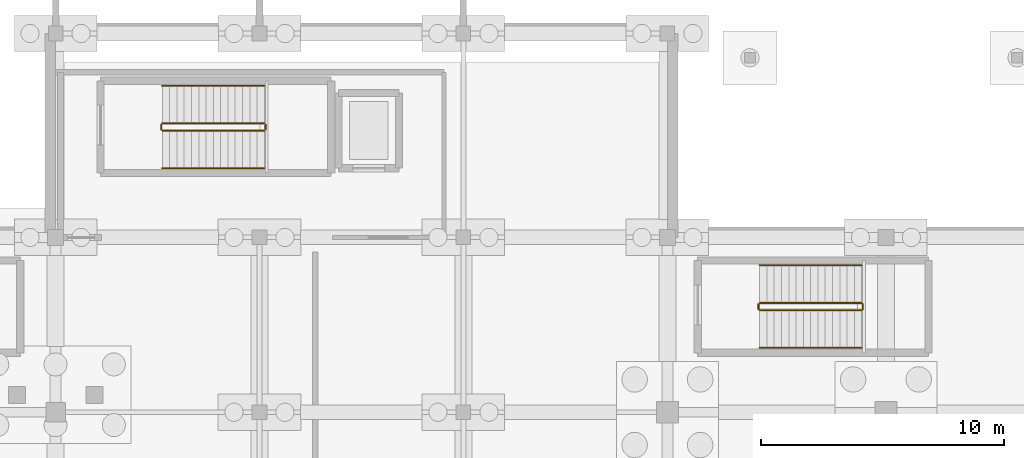
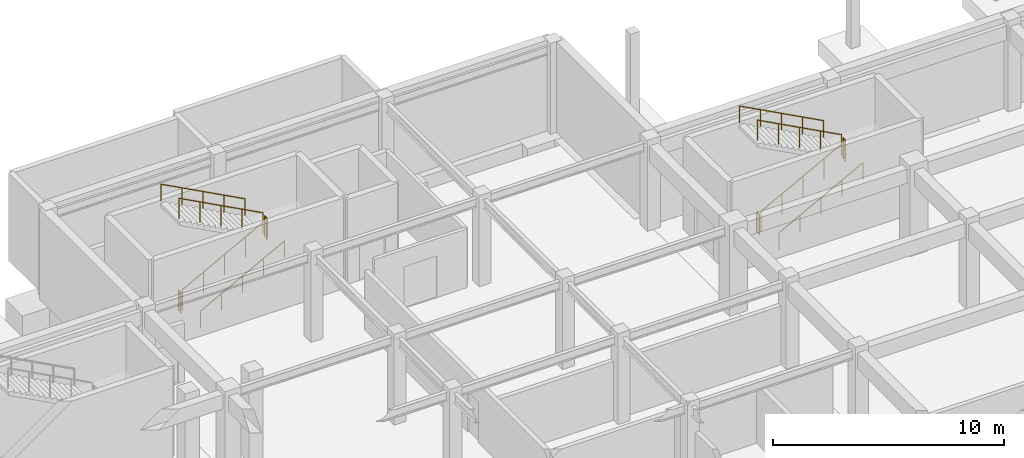
# One storey, part 24 of 26: 12 railings.
"""IFC4 building model written with IfcOpenShell, lengths in metres."""

from ifc_helpers import new_model, si_unit, direction, frame, origin, origin_2d, place, context, subcontext, project, spatial, circle, extrude, material, type_object, element, save


model = new_model("IFC4")

# Units and contexts
model_context = context("Model", 3, precision=1e-05, world=origin(), true_north=direction((0.0, 1.0)))
body_context = subcontext(model_context, "Body", "Model", "MODEL_VIEW")
ifc_project = project(units=[si_unit("LENGTHUNIT", "METRE"), si_unit("AREAUNIT", "SQUARE_METRE"), si_unit("VOLUMEUNIT", "CUBIC_METRE"), si_unit("PLANEANGLEUNIT", "RADIAN"), si_unit("MASSUNIT", "GRAM", prefix="KILO")], contexts=[model_context])

# Site, building, storey
site_placement = place(None, origin())
site = spatial("IfcSite", under=ifc_project, at=site_placement, CompositionType="ELEMENT")
building_placement = place(site_placement, origin())
building = spatial("IfcBuilding", under=site, at=building_placement, Name="Tizgana Railside Sports Hall", CompositionType="ELEMENT")
storey_placement = place(building_placement, frame((0.0, 0.0, -4.800048828125)))
storey = spatial("IfcBuildingStorey", under=building, at=storey_placement, Name="B1", CompositionType="ELEMENT", Elevation=-4.800048828125)

# Railings
ifc_material_1 = material(Name="Galvanised steel sheet", Category="steel")
railing_type_1 = type_object("IfcRailingType", Name="Safety Balustrade Guard 1100", PredefinedType="BALUSTRADE", material=ifc_material_1)
railing_1_placement = place(storey_placement, frame((59.0, 84.800048828125, 0.16015625)))
element("IfcRailing", 1, at=railing_1_placement, inside=storey, type_object=railing_type_1, Name="B1 ST-04 stair guard 1", PredefinedType="BALUSTRADE", context=body_context, shape_type="SweptSolid", body=[
    extrude(circle(Radius=0.02392578125, at=origin_2d()), frame((0.0, 0.0, 1.076171875), z_axis=(0.882351521365, 0.0, 0.470590897432), x_axis=(0.0, 1.0, 0.0)), (0.0, 0.0, 1.0), 4.760009765625),
    extrude(circle(Radius=0.02099609375, at=origin_2d()), origin(), (0.0, 0.0, 1.0), 1.052001953125),
    extrude(circle(Radius=0.02099609375, at=origin_2d()), frame((1.050048828125, 0.0, 0.56005859375)), (0.0, 0.0, 1.0), 1.052001953125),
    extrude(circle(Radius=0.02099609375, at=origin_2d()), frame((2.10009765625, 0.0, 1.1201171875)), (0.0, 0.0, 1.0), 1.052001953125),
    extrude(circle(Radius=0.02099609375, at=origin_2d()), frame((3.14990234375, 0.0, 1.679931640625)), (0.0, 0.0, 1.0), 1.052001953125),
    extrude(circle(Radius=0.02099609375, at=origin_2d()), frame((4.199951171875, 0.0, 2.239990234375)), (0.0, 0.0, 1.0), 1.052001953125),
])
railing_2_placement = place(storey_placement, frame((63.25, 84.85009765625, 2.400146484375)))
element("IfcRailing", 2, at=railing_2_placement, inside=storey, type_object=railing_type_1, Name="B1 ST-04 stair guard 2", PredefinedType="BALUSTRADE", context=body_context, shape_type="SweptSolid", body=[
    extrude(circle(Radius=0.02392578125, at=origin_2d()), frame((0.0, 0.0, 1.076171875), z_axis=(0.0, 1.0, 0.0), x_axis=(-1.0, 0.0, 0.0)), (0.0, 0.0, 1.0), 0.199951171875),
    extrude(circle(Radius=0.02099609375, at=origin_2d()), origin(), (0.0, 0.0, 1.0), 1.052001953125),
    extrude(circle(Radius=0.02099609375, at=origin_2d()), frame((0.0, 0.199951171875, 0.0)), (0.0, 0.0, 1.0), 1.052001953125),
])
railing_3_placement = place(storey_placement, frame((63.199951171875, 85.10009765625, 2.56005859375)))
element("IfcRailing", 3, at=railing_3_placement, inside=storey, type_object=railing_type_1, Name="B1 ST-04 stair guard 3", PredefinedType="BALUSTRADE", context=body_context, shape_type="SweptSolid", body=[
    extrude(circle(Radius=0.02392578125, at=origin_2d()), frame((0.0, 0.0, 1.076171875), z_axis=(-0.882351521365, 0.0, 0.470590897432), x_axis=(0.0, -1.0, 0.0)), (0.0, 0.0, 1.0), 4.760009765625),
    extrude(circle(Radius=0.02099609375, at=origin_2d()), origin(), (0.0, 0.0, 1.0), 1.052001953125),
    extrude(circle(Radius=0.02099609375, at=origin_2d()), frame((-1.050048828125, 0.0, 0.56005859375)), (0.0, 0.0, 1.0), 1.052001953125),
    extrude(circle(Radius=0.02099609375, at=origin_2d()), frame((-2.10009765625, 0.0, 1.1201171875)), (0.0, 0.0, 1.0), 1.052001953125),
    extrude(circle(Radius=0.02099609375, at=origin_2d()), frame((-3.14990234375, 0.0, 1.679931640625)), (0.0, 0.0, 1.0), 1.052001953125),
    extrude(circle(Radius=0.02099609375, at=origin_2d()), frame((-4.199951171875, 0.0, 2.239990234375)), (0.0, 0.0, 1.0), 1.052001953125),
])
railing_4_placement = place(storey_placement, frame((58.949951171875, 84.85009765625, 0.0)))
element("IfcRailing", 4, at=railing_4_placement, inside=storey, type_object=railing_type_1, Name="B1 ST-04 stair guard 4", PredefinedType="BALUSTRADE", context=body_context, shape_type="SweptSolid", body=[
    extrude(circle(Radius=0.02392578125, at=origin_2d()), frame((0.0, 0.0, 1.076171875), z_axis=(0.0, 1.0, 0.0), x_axis=(-1.0, 0.0, 0.0)), (0.0, 0.0, 1.0), 0.199951171875),
    extrude(circle(Radius=0.02099609375, at=origin_2d()), origin(), (0.0, 0.0, 1.0), 1.052001953125),
    extrude(circle(Radius=0.02099609375, at=origin_2d()), frame((0.0, 0.199951171875, 0.0)), (0.0, 0.0, 1.0), 1.052001953125),
])
railing_5_placement = place(storey_placement, frame((83.60009765625, 77.39990234375, 0.16015625)))
element("IfcRailing", 5, at=railing_5_placement, inside=storey, type_object=railing_type_1, Name="B1 ST-08 stair guard 1", PredefinedType="BALUSTRADE", context=body_context, shape_type="SweptSolid", body=[
    extrude(circle(Radius=0.02392578125, at=origin_2d()), frame((0.0, 0.0, 1.076171875), z_axis=(0.882351521365, 0.0, 0.470590897432), x_axis=(0.0, 1.0, 0.0)), (0.0, 0.0, 1.0), 4.760009765625),
    extrude(circle(Radius=0.02099609375, at=origin_2d()), origin(), (0.0, 0.0, 1.0), 1.052001953125),
    extrude(circle(Radius=0.02099609375, at=origin_2d()), frame((1.050048828125, 0.0, 0.56005859375)), (0.0, 0.0, 1.0), 1.052001953125),
    extrude(circle(Radius=0.02099609375, at=origin_2d()), frame((2.10009765625, 0.0, 1.1201171875)), (0.0, 0.0, 1.0), 1.052001953125),
    extrude(circle(Radius=0.02099609375, at=origin_2d()), frame((3.14990234375, 0.0, 1.679931640625)), (0.0, 0.0, 1.0), 1.052001953125),
    extrude(circle(Radius=0.02099609375, at=origin_2d()), frame((4.199951171875, 0.0, 2.239990234375)), (0.0, 0.0, 1.0), 1.052001953125),
])
railing_6_placement = place(storey_placement, frame((87.85009765625, 77.449951171875, 2.400146484375)))
element("IfcRailing", 6, at=railing_6_placement, inside=storey, type_object=railing_type_1, Name="B1 ST-08 stair guard 2", PredefinedType="BALUSTRADE", context=body_context, shape_type="SweptSolid", body=[
    extrude(circle(Radius=0.02392578125, at=origin_2d()), frame((0.0, 0.0, 1.076171875), z_axis=(0.0, 1.0, 0.0), x_axis=(-1.0, 0.0, 0.0)), (0.0, 0.0, 1.0), 0.199951171875),
    extrude(circle(Radius=0.02099609375, at=origin_2d()), origin(), (0.0, 0.0, 1.0), 1.052001953125),
    extrude(circle(Radius=0.02099609375, at=origin_2d()), frame((0.0, 0.199951171875, 0.0)), (0.0, 0.0, 1.0), 1.052001953125),
])
railing_7_placement = place(storey_placement, frame((87.800048828125, 77.699951171875, 2.56005859375)))
element("IfcRailing", 7, at=railing_7_placement, inside=storey, type_object=railing_type_1, Name="B1 ST-08 stair guard 3", PredefinedType="BALUSTRADE", context=body_context, shape_type="SweptSolid", body=[
    extrude(circle(Radius=0.02392578125, at=origin_2d()), frame((0.0, 0.0, 1.076171875), z_axis=(-0.882351521365, 0.0, 0.470590897432), x_axis=(0.0, -1.0, 0.0)), (0.0, 0.0, 1.0), 4.760009765625),
    extrude(circle(Radius=0.02099609375, at=origin_2d()), origin(), (0.0, 0.0, 1.0), 1.052001953125),
    extrude(circle(Radius=0.02099609375, at=origin_2d()), frame((-1.050048828125, 0.0, 0.56005859375)), (0.0, 0.0, 1.0), 1.052001953125),
    extrude(circle(Radius=0.02099609375, at=origin_2d()), frame((-2.10009765625, 0.0, 1.1201171875)), (0.0, 0.0, 1.0), 1.052001953125),
    extrude(circle(Radius=0.02099609375, at=origin_2d()), frame((-3.14990234375, 0.0, 1.679931640625)), (0.0, 0.0, 1.0), 1.052001953125),
    extrude(circle(Radius=0.02099609375, at=origin_2d()), frame((-4.199951171875, 0.0, 2.239990234375)), (0.0, 0.0, 1.0), 1.052001953125),
])
railing_8_placement = place(storey_placement, frame((83.550048828125, 77.449951171875, 0.0)))
element("IfcRailing", 8, at=railing_8_placement, inside=storey, type_object=railing_type_1, Name="B1 ST-08 stair guard 4", PredefinedType="BALUSTRADE", context=body_context, shape_type="SweptSolid", body=[
    extrude(circle(Radius=0.02392578125, at=origin_2d()), frame((0.0, 0.0, 1.076171875), z_axis=(0.0, 1.0, 0.0), x_axis=(-1.0, 0.0, 0.0)), (0.0, 0.0, 1.0), 0.199951171875),
    extrude(circle(Radius=0.02099609375, at=origin_2d()), origin(), (0.0, 0.0, 1.0), 1.052001953125),
    extrude(circle(Radius=0.02099609375, at=origin_2d()), frame((0.0, 0.199951171875, 0.0)), (0.0, 0.0, 1.0), 1.052001953125),
])
ifc_material_2 = material(Name="Brushed stainless steel", Category="steel")
railing_type_2 = type_object("IfcRailingType", Name="Stair & Ramp Wall Handrail 900", PredefinedType="HANDRAIL", material=ifc_material_2)
railing_9_placement = place(storey_placement, frame((59.0, 83.25, 0.16015625)))
element("IfcRailing", 9, at=railing_9_placement, inside=storey, type_object=railing_type_2, Name="B1 ST-04 stair handrail 1", PredefinedType="HANDRAIL", context=body_context, shape_type="SweptSolid", body=[
    extrude(circle(Radius=0.02392578125, at=origin_2d()), frame((0.0, 0.0, 0.8759765625), z_axis=(0.882351521365, 0.0, 0.470590897432), x_axis=(0.0, 1.0, 0.0)), (0.0, 0.0, 1.0), 4.760009765625),
    extrude(circle(Radius=0.02099609375, at=origin_2d()), origin(), (0.0, 0.0, 1.0), 0.851806640625),
    extrude(circle(Radius=0.02099609375, at=origin_2d()), frame((1.050048828125, 0.0, 0.56005859375)), (0.0, 0.0, 1.0), 0.851806640625),
    extrude(circle(Radius=0.02099609375, at=origin_2d()), frame((2.10009765625, 0.0, 1.1201171875)), (0.0, 0.0, 1.0), 0.851806640625),
    extrude(circle(Radius=0.02099609375, at=origin_2d()), frame((3.14990234375, 0.0, 1.679931640625)), (0.0, 0.0, 1.0), 0.851806640625),
    extrude(circle(Radius=0.02099609375, at=origin_2d()), frame((4.199951171875, 0.0, 2.239990234375)), (0.0, 0.0, 1.0), 0.851806640625),
])
railing_10_placement = place(storey_placement, frame((63.199951171875, 86.64990234375, 2.56005859375)))
element("IfcRailing", 10, at=railing_10_placement, inside=storey, type_object=railing_type_2, Name="B1 ST-04 stair handrail 2", PredefinedType="HANDRAIL", context=body_context, shape_type="SweptSolid", body=[
    extrude(circle(Radius=0.02392578125, at=origin_2d()), frame((0.0, 0.0, 0.8759765625), z_axis=(-0.882351521365, 0.0, 0.470590897432), x_axis=(0.0, -1.0, 0.0)), (0.0, 0.0, 1.0), 4.760009765625),
    extrude(circle(Radius=0.02099609375, at=origin_2d()), origin(), (0.0, 0.0, 1.0), 0.851806640625),
    extrude(circle(Radius=0.02099609375, at=origin_2d()), frame((-1.050048828125, 0.0, 0.56005859375)), (0.0, 0.0, 1.0), 0.851806640625),
    extrude(circle(Radius=0.02099609375, at=origin_2d()), frame((-2.10009765625, 0.0, 1.1201171875)), (0.0, 0.0, 1.0), 0.851806640625),
    extrude(circle(Radius=0.02099609375, at=origin_2d()), frame((-3.14990234375, 0.0, 1.679931640625)), (0.0, 0.0, 1.0), 0.851806640625),
    extrude(circle(Radius=0.02099609375, at=origin_2d()), frame((-4.199951171875, 0.0, 2.239990234375)), (0.0, 0.0, 1.0), 0.851806640625),
])
railing_11_placement = place(storey_placement, frame((83.60009765625, 75.85009765625, 0.16015625)))
element("IfcRailing", 11, at=railing_11_placement, inside=storey, type_object=railing_type_2, Name="B1 ST-08 stair handrail 1", PredefinedType="HANDRAIL", context=body_context, shape_type="SweptSolid", body=[
    extrude(circle(Radius=0.02392578125, at=origin_2d()), frame((0.0, 0.0, 0.8759765625), z_axis=(0.882351521365, 0.0, 0.470590897432), x_axis=(0.0, 1.0, 0.0)), (0.0, 0.0, 1.0), 4.760009765625),
    extrude(circle(Radius=0.02099609375, at=origin_2d()), origin(), (0.0, 0.0, 1.0), 0.851806640625),
    extrude(circle(Radius=0.02099609375, at=origin_2d()), frame((1.050048828125, 0.0, 0.56005859375)), (0.0, 0.0, 1.0), 0.851806640625),
    extrude(circle(Radius=0.02099609375, at=origin_2d()), frame((2.10009765625, 0.0, 1.1201171875)), (0.0, 0.0, 1.0), 0.851806640625),
    extrude(circle(Radius=0.02099609375, at=origin_2d()), frame((3.14990234375, 0.0, 1.679931640625)), (0.0, 0.0, 1.0), 0.851806640625),
    extrude(circle(Radius=0.02099609375, at=origin_2d()), frame((4.199951171875, 0.0, 2.239990234375)), (0.0, 0.0, 1.0), 0.851806640625),
])
railing_12_placement = place(storey_placement, frame((87.800048828125, 79.25, 2.56005859375)))
element("IfcRailing", 12, at=railing_12_placement, inside=storey, type_object=railing_type_2, Name="B1 ST-08 stair handrail 2", PredefinedType="HANDRAIL", context=body_context, shape_type="SweptSolid", body=[
    extrude(circle(Radius=0.02392578125, at=origin_2d()), frame((0.0, 0.0, 0.8759765625), z_axis=(-0.882351521365, 0.0, 0.470590897432), x_axis=(0.0, -1.0, 0.0)), (0.0, 0.0, 1.0), 4.760009765625),
    extrude(circle(Radius=0.02099609375, at=origin_2d()), origin(), (0.0, 0.0, 1.0), 0.851806640625),
    extrude(circle(Radius=0.02099609375, at=origin_2d()), frame((-1.050048828125, 0.0, 0.56005859375)), (0.0, 0.0, 1.0), 0.851806640625),
    extrude(circle(Radius=0.02099609375, at=origin_2d()), frame((-2.10009765625, 0.0, 1.1201171875)), (0.0, 0.0, 1.0), 0.851806640625),
    extrude(circle(Radius=0.02099609375, at=origin_2d()), frame((-3.14990234375, 0.0, 1.679931640625)), (0.0, 0.0, 1.0), 0.851806640625),
    extrude(circle(Radius=0.02099609375, at=origin_2d()), frame((-4.199951171875, 0.0, 2.239990234375)), (0.0, 0.0, 1.0), 0.851806640625),
])

save(model, "model.ifc")
